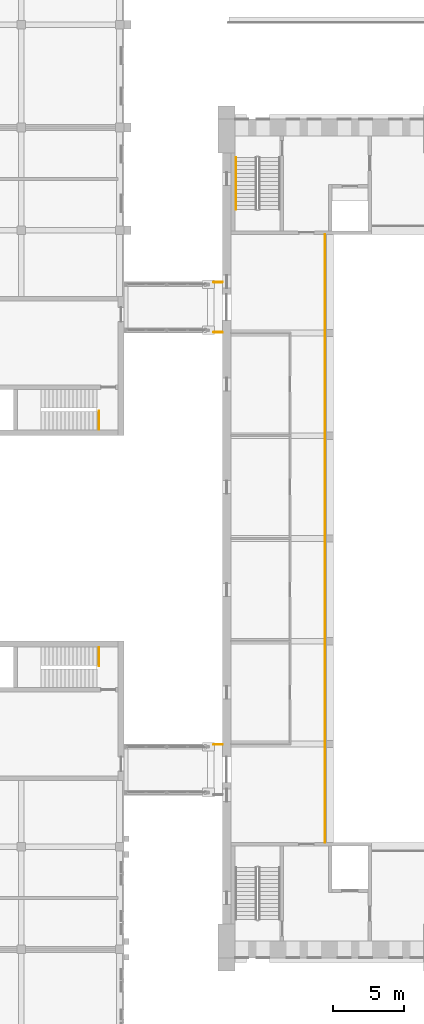
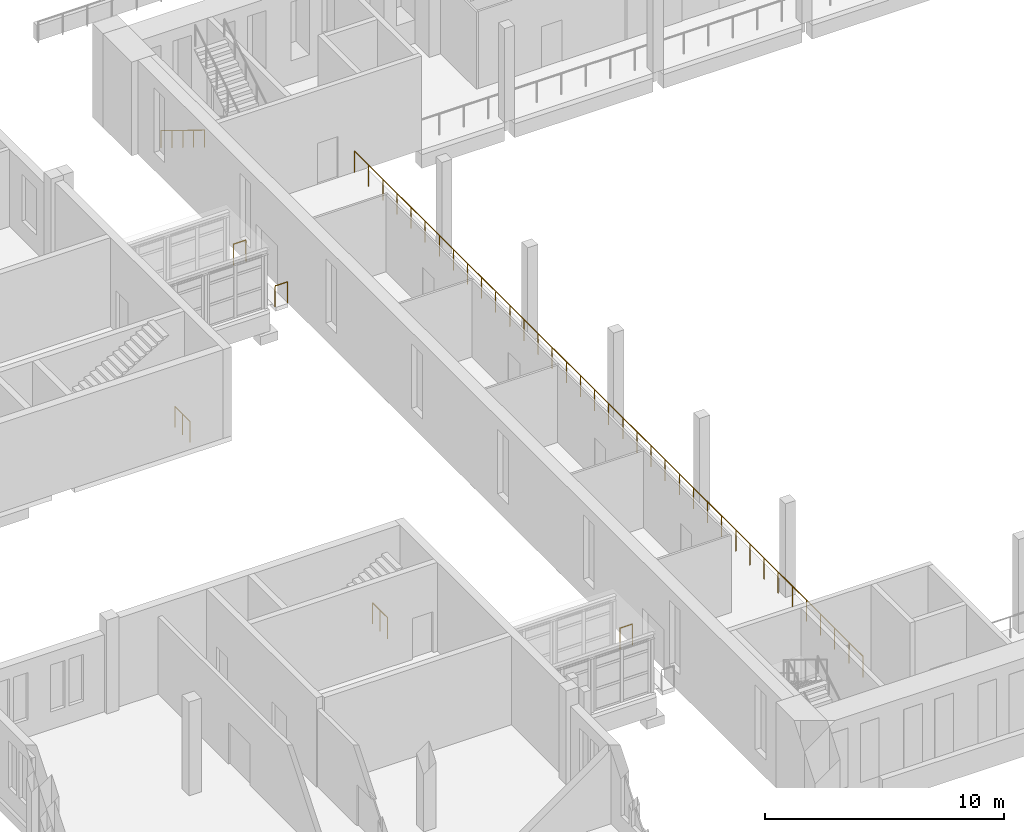
# One storey, part 117 of 131: 7 railings.
"""IFC4 building model written with IfcOpenShell, lengths in metres."""

from ifc_helpers import new_model, si_unit, direction, frame, origin, origin_2d, place, context, subcontext, project, spatial, circle, extrude, material, type_object, element, save


model = new_model("IFC4")

# Units and contexts
model_context = context("Model", 3, precision=1e-05, world=origin(), true_north=direction((0.0, 1.0)))
body_context = subcontext(model_context, "Body", "Model", "MODEL_VIEW")
ifc_project = project(units=[si_unit("LENGTHUNIT", "METRE"), si_unit("AREAUNIT", "SQUARE_METRE"), si_unit("VOLUMEUNIT", "CUBIC_METRE"), si_unit("PLANEANGLEUNIT", "RADIAN"), si_unit("MASSUNIT", "GRAM", prefix="KILO")], contexts=[model_context])

# Site, building, storey
site_placement = place(None, origin())
site = spatial("IfcSite", under=ifc_project, at=site_placement, CompositionType="ELEMENT")
building_placement = place(site_placement, origin())
building = spatial("IfcBuilding", under=site, at=building_placement, Name="Alderwick Market Hall", CompositionType="ELEMENT")
storey_placement = place(building_placement, frame((0.0, 0.0, 4.800048828125)))
storey = spatial("IfcBuildingStorey", under=building, at=storey_placement, Name="L00", CompositionType="ELEMENT", Elevation=4.800048828125)

# Railings
ifc_material_1 = material(Name="Steel ASTM A500 Grade C", Category="steel")
railing_type_1 = type_object("IfcRailingType", Name="B Stair Guard 1100", PredefinedType="GUARDRAIL", material=ifc_material_1)
railing_1_placement = place(storey_placement, frame((41.449951171875, 86.85009765625, 0.0)))
element("IfcRailing", 1, at=railing_1_placement, inside=storey, type_object=railing_type_1, Name="Stair well guard", PredefinedType="GUARDRAIL", context=body_context, shape_type="SweptSolid", body=[
    extrude(circle(Radius=0.02392578125, at=origin_2d()), frame((0.0, 0.0, 1.076171875), z_axis=(0.0, 1.0, 0.0), x_axis=(-1.0, 0.0, 0.0)), (0.0, 0.0, 1.0), 1.27001953125),
    extrude(circle(Radius=0.02099609375, at=origin_2d()), origin(), (0.0, 0.0, 1.0), 1.052001953125),
    extrude(circle(Radius=0.02099609375, at=origin_2d()), frame((0.0, 0.635009765625, 0.0)), (0.0, 0.0, 1.0), 1.052001953125),
    extrude(circle(Radius=0.02099609375, at=origin_2d()), frame((0.0, 1.27001953125, 0.0)), (0.0, 0.0, 1.0), 1.052001953125),
])
railing_2_placement = place(storey_placement, frame((41.449951171875, 71.550048828125, 0.0)))
element("IfcRailing", 2, at=railing_2_placement, inside=storey, type_object=railing_type_1, Name="Stair well guard", PredefinedType="GUARDRAIL", context=body_context, shape_type="SweptSolid", body=[
    extrude(circle(Radius=0.02392578125, at=origin_2d()), frame((0.0, 0.0, 1.076171875), z_axis=(0.0, -1.0, 0.0), x_axis=(1.0, 0.0, 0.0)), (0.0, 0.0, 1.0), 1.27001953125),
    extrude(circle(Radius=0.02099609375, at=origin_2d()), origin(), (0.0, 0.0, 1.0), 1.052001953125),
    extrude(circle(Radius=0.02099609375, at=origin_2d()), frame((0.0, -0.635009765625, 0.0)), (0.0, 0.0, 1.0), 1.052001953125),
    extrude(circle(Radius=0.02099609375, at=origin_2d()), frame((0.0, -1.27001953125, 0.0)), (0.0, 0.0, 1.0), 1.052001953125),
])
ifc_material_2 = material(Name="Steel, painted", Category="steel")
railing_type_2 = type_object("IfcRailingType", Name="H Guard 1100", PredefinedType="GUARDRAIL", material=ifc_material_2)
railing_3_placement = place(storey_placement, frame((57.300048828125, 57.889892578125, 0.0)))
element("IfcRailing", 3, at=railing_3_placement, inside=storey, type_object=railing_type_2, Name="Gallery guard W L00", PredefinedType="GUARDRAIL", context=body_context, shape_type="SweptSolid", body=[
    extrude(circle(Radius=0.02392578125, at=origin_2d()), frame((0.0, 0.0, 1.076171875), z_axis=(0.0, 1.0, 0.0), x_axis=(-1.0, 0.0, 0.0)), (0.0, 0.0, 1.0), 42.6201171875),
    extrude(circle(Radius=0.02099609375, at=origin_2d()), origin(), (0.0, 0.0, 1.0), 1.052001953125),
    extrude(circle(Radius=0.02099609375, at=origin_2d()), frame((0.0, 1.183837890625, 0.0)), (0.0, 0.0, 1.0), 1.052001953125),
    extrude(circle(Radius=0.02099609375, at=origin_2d()), frame((0.0, 2.36767578125, 0.0)), (0.0, 0.0, 1.0), 1.052001953125),
    extrude(circle(Radius=0.02099609375, at=origin_2d()), frame((0.0, 3.5517578125, 0.0)), (0.0, 0.0, 1.0), 1.052001953125),
    extrude(circle(Radius=0.02099609375, at=origin_2d()), frame((0.0, 4.735595703125, 0.0)), (0.0, 0.0, 1.0), 1.052001953125),
    extrude(circle(Radius=0.02099609375, at=origin_2d()), frame((0.0, 5.91943359375, 0.0)), (0.0, 0.0, 1.0), 1.052001953125),
    extrude(circle(Radius=0.02099609375, at=origin_2d()), frame((0.0, 7.103271484375, 0.0)), (0.0, 0.0, 1.0), 1.052001953125),
    extrude(circle(Radius=0.02099609375, at=origin_2d()), frame((0.0, 8.287353515625, 0.0)), (0.0, 0.0, 1.0), 1.052001953125),
    extrude(circle(Radius=0.02099609375, at=origin_2d()), frame((0.0, 9.47119140625, 0.0)), (0.0, 0.0, 1.0), 1.052001953125),
    extrude(circle(Radius=0.02099609375, at=origin_2d()), frame((0.0, 10.655029296875, 0.0)), (0.0, 0.0, 1.0), 1.052001953125),
    extrude(circle(Radius=0.02099609375, at=origin_2d()), frame((0.0, 11.8388671875, 0.0)), (0.0, 0.0, 1.0), 1.052001953125),
    extrude(circle(Radius=0.02099609375, at=origin_2d()), frame((0.0, 13.022705078125, 0.0)), (0.0, 0.0, 1.0), 1.052001953125),
    extrude(circle(Radius=0.02099609375, at=origin_2d()), frame((0.0, 14.206787109375, 0.0)), (0.0, 0.0, 1.0), 1.052001953125),
    extrude(circle(Radius=0.02099609375, at=origin_2d()), frame((0.0, 15.390625, 0.0)), (0.0, 0.0, 1.0), 1.052001953125),
    extrude(circle(Radius=0.02099609375, at=origin_2d()), frame((0.0, 16.574462890625, 0.0)), (0.0, 0.0, 1.0), 1.052001953125),
    extrude(circle(Radius=0.02099609375, at=origin_2d()), frame((0.0, 17.75830078125, 0.0)), (0.0, 0.0, 1.0), 1.052001953125),
    extrude(circle(Radius=0.02099609375, at=origin_2d()), frame((0.0, 18.9423828125, 0.0)), (0.0, 0.0, 1.0), 1.052001953125),
    extrude(circle(Radius=0.02099609375, at=origin_2d()), frame((0.0, 20.126220703125, 0.0)), (0.0, 0.0, 1.0), 1.052001953125),
    extrude(circle(Radius=0.02099609375, at=origin_2d()), frame((0.0, 21.31005859375, 0.0)), (0.0, 0.0, 1.0), 1.052001953125),
    extrude(circle(Radius=0.02099609375, at=origin_2d()), frame((0.0, 22.493896484375, 0.0)), (0.0, 0.0, 1.0), 1.052001953125),
    extrude(circle(Radius=0.02099609375, at=origin_2d()), frame((0.0, 23.677734375, 0.0)), (0.0, 0.0, 1.0), 1.052001953125),
    extrude(circle(Radius=0.02099609375, at=origin_2d()), frame((0.0, 24.86181640625, 0.0)), (0.0, 0.0, 1.0), 1.052001953125),
    extrude(circle(Radius=0.02099609375, at=origin_2d()), frame((0.0, 26.045654296875, 0.0)), (0.0, 0.0, 1.0), 1.052001953125),
    extrude(circle(Radius=0.02099609375, at=origin_2d()), frame((0.0, 27.2294921875, 0.0)), (0.0, 0.0, 1.0), 1.052001953125),
    extrude(circle(Radius=0.02099609375, at=origin_2d()), frame((0.0, 28.413330078125, 0.0)), (0.0, 0.0, 1.0), 1.052001953125),
    extrude(circle(Radius=0.02099609375, at=origin_2d()), frame((0.0, 29.597412109375, 0.0)), (0.0, 0.0, 1.0), 1.052001953125),
    extrude(circle(Radius=0.02099609375, at=origin_2d()), frame((0.0, 30.78125, 0.0)), (0.0, 0.0, 1.0), 1.052001953125),
    extrude(circle(Radius=0.02099609375, at=origin_2d()), frame((0.0, 31.965087890625, 0.0)), (0.0, 0.0, 1.0), 1.052001953125),
    extrude(circle(Radius=0.02099609375, at=origin_2d()), frame((0.0, 33.14892578125, 0.0)), (0.0, 0.0, 1.0), 1.052001953125),
    extrude(circle(Radius=0.02099609375, at=origin_2d()), frame((0.0, 34.332763671875, 0.0)), (0.0, 0.0, 1.0), 1.052001953125),
    extrude(circle(Radius=0.02099609375, at=origin_2d()), frame((0.0, 35.516845703125, 0.0)), (0.0, 0.0, 1.0), 1.052001953125),
    extrude(circle(Radius=0.02099609375, at=origin_2d()), frame((0.0, 36.70068359375, 0.0)), (0.0, 0.0, 1.0), 1.052001953125),
    extrude(circle(Radius=0.02099609375, at=origin_2d()), frame((0.0, 37.884521484375, 0.0)), (0.0, 0.0, 1.0), 1.052001953125),
    extrude(circle(Radius=0.02099609375, at=origin_2d()), frame((0.0, 39.068359375, 0.0)), (0.0, 0.0, 1.0), 1.052001953125),
    extrude(circle(Radius=0.02099609375, at=origin_2d()), frame((0.0, 40.25244140625, 0.0)), (0.0, 0.0, 1.0), 1.052001953125),
    extrude(circle(Radius=0.02099609375, at=origin_2d()), frame((0.0, 41.436279296875, 0.0)), (0.0, 0.0, 1.0), 1.052001953125),
    extrude(circle(Radius=0.02099609375, at=origin_2d()), frame((0.0, 42.6201171875, 0.0)), (0.0, 0.0, 1.0), 1.052001953125),
])
railing_type_3 = type_object("IfcRailingType", Name="H Handrail 900", PredefinedType="HANDRAIL", material=ifc_material_2)
railing_4_placement = place(storey_placement, frame((51.050048828125, 105.89990234375, 0.17138671875)))
element("IfcRailing", 4, at=railing_4_placement, inside=storey, type_object=railing_type_3, Name="L00 H-NW stair handrail 1", PredefinedType="HANDRAIL", context=body_context, shape_type="SweptSolid", body=[
    extrude(circle(Radius=0.02392578125, at=origin_2d()), frame((0.0, 0.0, 0.8759765625), z_axis=(0.0, -0.852850264322, 0.5221555579), x_axis=(1.0, 0.0, 0.0)), (0.0, 0.0, 1.0), 4.267822265625),
    extrude(circle(Radius=0.02099609375, at=origin_2d()), origin(), (0.0, 0.0, 1.0), 0.851806640625),
    extrude(circle(Radius=0.02099609375, at=origin_2d()), frame((0.0, -0.909912109375, 0.55712890625)), (0.0, 0.0, 1.0), 0.851806640625),
    extrude(circle(Radius=0.02099609375, at=origin_2d()), frame((0.0, -1.81982421875, 1.1142578125)), (0.0, 0.0, 1.0), 0.851806640625),
    extrude(circle(Radius=0.02099609375, at=origin_2d()), frame((0.0, -2.72998046875, 1.67138671875)), (0.0, 0.0, 1.0), 0.851806640625),
    extrude(circle(Radius=0.02099609375, at=origin_2d()), frame((0.0, -3.639892578125, 2.228515625)), (0.0, 0.0, 1.0), 0.851806640625),
])
railing_type_4 = type_object("IfcRailingType", Name="R Landing Guard 1100", PredefinedType="GUARDRAIL", material=ifc_material_2)
for number, where, name in (
    (5, (49.5, 93.64501953125, 0.0), "Landing 1 guard S"),
    (6, (49.5, 97.155029296875, 0.0), "Landing 1 guard N"),
    (7, (49.5, 64.7548828125, 0.0), "Landing 2 guard N"),
):
    element("IfcRailing", number, at=place(storey_placement, frame(where)), inside=storey, type_object=railing_type_4, Name=name, PredefinedType="GUARDRAIL", context=body_context, shape_type="SweptSolid", body=[
        extrude(circle(Radius=0.02392578125, at=origin_2d()), frame((0.0, 0.0, 1.076171875), z_axis=(1.0, 0.0, 0.0), x_axis=(0.0, 1.0, 0.0)), (0.0, 0.0, 1.0), 0.60009765625),
        extrude(circle(Radius=0.02099609375, at=origin_2d()), origin(), (0.0, 0.0, 1.0), 1.052001953125),
        extrude(circle(Radius=0.02099609375, at=origin_2d()), frame((0.60009765625, 0.0, 0.0)), (0.0, 0.0, 1.0), 1.052001953125),
    ])

save(model, "model.ifc")
